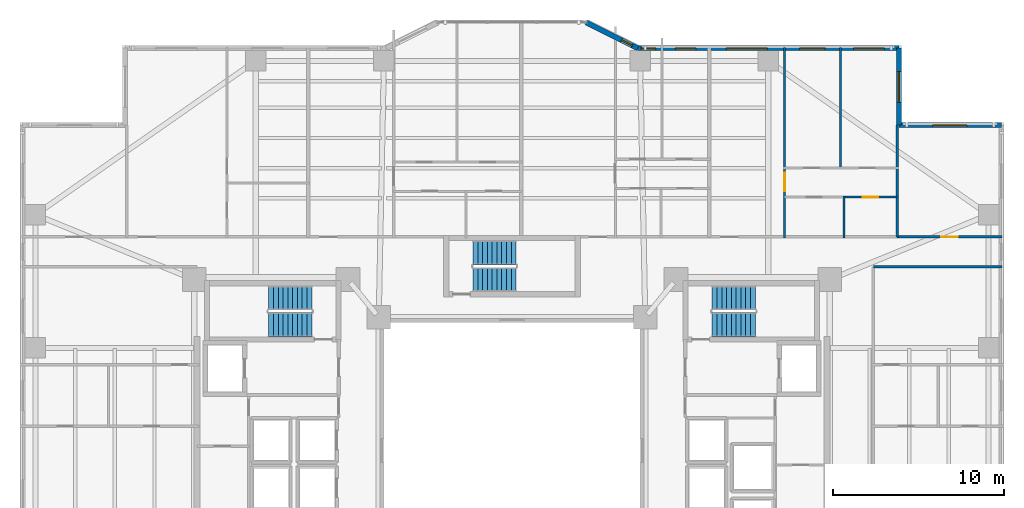
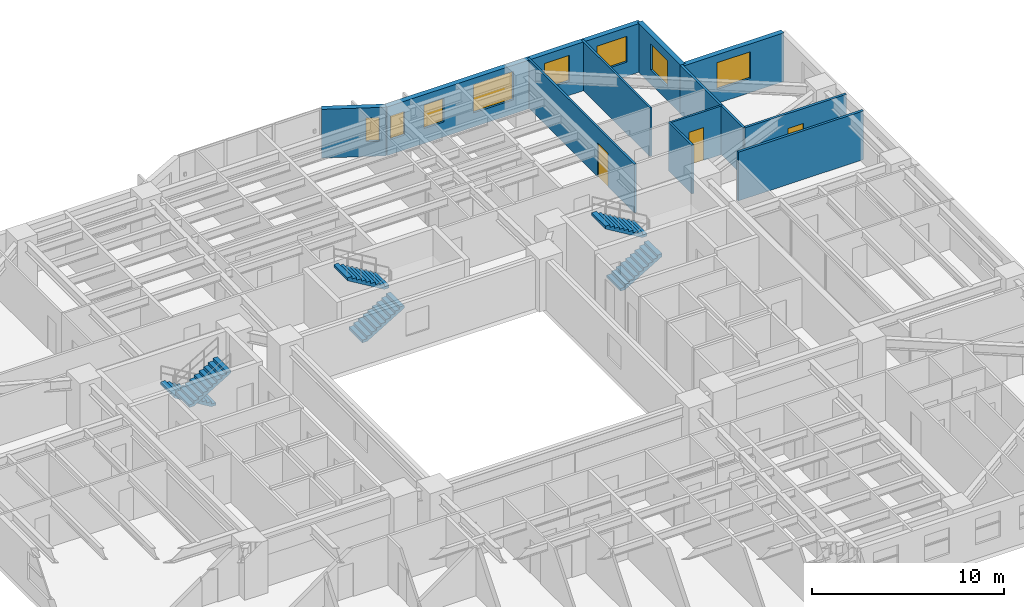
# One storey, part 16 of 21: 11 walls, 8 windows, 6 stair flights, 3 doors, 11 openings, 3 elements without a shape of their own.
"""IFC4 building model written with IfcOpenShell, lengths in metres."""

import ifcopenshell
import ifcopenshell.guid

model = None  # the IFC model being written
_history = None  # IfcOwnerHistory: only IFC2X3 demands one
_inside = {}  # id of a spatial element -> (the spatial element, [elements in it])
_under = {}  # id of a project, library or spatial element -> (it, [spatial elements below it])
_declared = {}  # id of a project -> (the project, [libraries it declares])
_typed = {}  # id of a type object -> (the type object, [elements of that type])
_made_of = {}  # id of a material, layer set ... -> (it, [elements and type objects made of it])


def new_model(schema):
    """Start an empty IFC model of exactly this schema.

    Asked for "IFC4X3", IfcOpenShell would pick the latest addendum, in which some entities
    have other attributes; the version numbers below select the first issue.
    IFC2X3 requires an IfcOwnerHistory on every rooted entity: one is made here for all.
    """
    global model, _history
    if schema == "IFC4X3":
        model = ifcopenshell.file(schema_version=(4, 3, 0, 0))
    else:
        model = ifcopenshell.file(schema=schema)
    _inside.clear()
    _under.clear()
    _declared.clear()
    _typed.clear()
    _made_of.clear()
    _history = None
    if model.schema == "IFC2X3":
        org = make("IfcOrganization", Name="unknown")
        user = make(
            "IfcPersonAndOrganization",
            ThePerson=make("IfcPerson", FamilyName="unknown"),
            TheOrganization=org,
        )
        app = make(
            "IfcApplication",
            ApplicationDeveloper=org,
            Version="unknown",
            ApplicationFullName="unknown",
            ApplicationIdentifier="unknown",
        )
        _history = make(
            "IfcOwnerHistory",
            OwningUser=user,
            OwningApplication=app,
            ChangeAction="ADDED",
            CreationDate=0,
        )
    return model


def make(cls, **values):
    """One entity of the class cls with the attributes given. An attribute that is None is left unset."""
    return model.create_entity(
        cls, **{name: value for name, value in values.items() if value is not None}
    )


def rooted(cls, **values):
    """An entity with a GlobalId (a new one), such as an element, a storey or a relation."""
    return make(cls, GlobalId=ifcopenshell.guid.new(), OwnerHistory=_history, **values)


def si_unit(unit_type, name, prefix=None):
    """IfcSIUnit, for example si_unit("LENGTHUNIT", "METRE", prefix="MILLI")."""
    return make("IfcSIUnit", UnitType=unit_type, Prefix=prefix, Name=name)


def assignment(units):
    """IfcUnitAssignment: the units of a project."""
    return None if units is None else make("IfcUnitAssignment", Units=units)


def point(xyz):
    """IfcCartesianPoint."""
    return None if xyz is None else make("IfcCartesianPoint", Coordinates=xyz)


def direction(xyz):
    """IfcDirection."""
    return None if xyz is None else make("IfcDirection", DirectionRatios=xyz)


def frame(location, z_axis=None, x_axis=None):
    """IfcAxis2Placement3D, a coordinate frame: its origin and axes. An axis left out is left unset."""
    return make(
        "IfcAxis2Placement3D",
        Location=point(location),
        Axis=direction(z_axis),
        RefDirection=direction(x_axis),
    )


def frame_2d(location, x_axis=None):
    """IfcAxis2Placement2D, a coordinate frame in the plane: its origin and x axis."""
    return make(
        "IfcAxis2Placement2D", Location=point(location), RefDirection=direction(x_axis)
    )


def origin():
    """The frame at (0, 0, 0) with its axes left unset."""
    return frame((0.0, 0.0, 0.0))


def place(relative_to, where):
    """IfcLocalPlacement: puts the frame where relative to a parent placement (None: the world)."""
    return make(
        "IfcLocalPlacement", PlacementRelTo=relative_to, RelativePlacement=where
    )


def context(
    kind, dimensions, precision=None, world=None, true_north=None, identifier=None
):
    """IfcGeometricRepresentationContext, for example the 3D "Model" context."""
    return make(
        "IfcGeometricRepresentationContext",
        ContextIdentifier=identifier,
        ContextType=kind,
        CoordinateSpaceDimension=dimensions,
        Precision=precision,
        WorldCoordinateSystem=world,
        TrueNorth=true_north,
    )


def subcontext(parent, identifier, kind, view, scale=None):
    """IfcGeometricRepresentationSubContext, for example "Body" below "Model"."""
    return make(
        "IfcGeometricRepresentationSubContext",
        ContextIdentifier=identifier,
        ContextType=kind,
        ParentContext=parent,
        TargetScale=scale,
        TargetView=view,
    )


def project(units=None, contexts=None):
    """IfcProject with its units and contexts."""
    return rooted(
        "IfcProject",
        Name="project",
        RepresentationContexts=contexts,
        UnitsInContext=assignment(units),
    )


def spatial(cls, under=None, at=None, **own):
    """A site, building, storey or space (cls), placed at a placement, below another one or the project."""
    s = rooted(cls, ObjectPlacement=at, **own)
    if under is not None:
        _under.setdefault(under.id(), (under, []))[1].append(s)
    return s


def polyline(points):
    """IfcPolyline through the points."""
    return make("IfcPolyline", Points=[point(p) for p in points])


def profile(cls, at=None, kind="AREA", **sizes):
    """A parametric profile (cls). Its sizes go by their IFC names, for example OverallWidth=200.0."""
    return make(cls, ProfileType=kind, Position=at, **sizes)


def rectangle(**sizes):
    """IfcRectangleProfileDef."""
    return profile("IfcRectangleProfileDef", **sizes)


def outline(outer, holes=None, kind="AREA"):
    """IfcArbitraryClosedProfileDef: a profile drawn as a closed curve; with holes, ...WithVoids."""
    if holes is None:
        return make("IfcArbitraryClosedProfileDef", ProfileType=kind, OuterCurve=outer)
    return make(
        "IfcArbitraryProfileDefWithVoids",
        ProfileType=kind,
        OuterCurve=outer,
        InnerCurves=holes,
    )


def extrude(swept, where, along, depth):
    """IfcExtrudedAreaSolid: the profile swept, set in the frame where, extruded along a direction by depth."""
    return make(
        "IfcExtrudedAreaSolid",
        SweptArea=swept,
        Position=where,
        ExtrudedDirection=direction(along),
        Depth=depth,
    )


def shape(context_of_items, identifier, shape_type, items):
    """IfcShapeRepresentation: the items that make up one representation, for example the "Body"."""
    return make(
        "IfcShapeRepresentation",
        ContextOfItems=context_of_items,
        RepresentationIdentifier=identifier,
        RepresentationType=shape_type,
        Items=items,
    )


def material(Name=None, Category=None):
    """IfcMaterial."""
    return make("IfcMaterial", Name=Name, Category=Category)


def layer(
    of_material, thickness, ventilated=None, Name=None, Category=None, Priority=None
):
    """IfcMaterialLayer: one layer of a wall or slab, of a material (None: an air gap)."""
    return make(
        "IfcMaterialLayer",
        Material=of_material,
        LayerThickness=thickness,
        IsVentilated=ventilated,
        Name=Name,
        Category=Category,
        Priority=Priority,
    )


def layer_set(layers, Name=None):
    """IfcMaterialLayerSet."""
    return make("IfcMaterialLayerSet", MaterialLayers=layers, LayerSetName=Name)


def made_of(thing, what):
    """Note that an element or type object is made of a material, layer set ...; save() writes the relation."""
    if what is not None:
        _made_of.setdefault(what.id(), (what, []))[1].append(thing)
    return thing


def type_object(cls, material=None, **own):
    """A type object (cls), such as IfcWallType, which elements share."""
    return made_of(rooted(cls, **own), material)


def element(
    cls,
    number,
    at=None,
    inside=None,
    cuts=None,
    type_object=None,
    material=None,
    context=None,
    identifier="Body",
    shape_type=None,
    held_by="IfcProductDefinitionShape",
    body=None,
    shapes=None,
    **own,
):
    """One element of the class cls, such as IfcWall. Its Tag is "e" and its number.

    at: its placement. inside: the storey or other place that contains it. cuts: it is an
    opening in that element (IfcRelVoidsElement). A single representation is given by context,
    identifier, shape_type and body (its items); several are given by shapes. held_by: the class
    of the entity that holds the representations. save() writes the other relations.
    """
    e = rooted(cls, Tag="e%d" % number, ObjectPlacement=at, **own)
    if body is not None:
        shapes = [shape(context, identifier, shape_type, body)]
    if shapes is not None:
        e.Representation = make(held_by, Representations=shapes)
    if inside is not None:
        _inside.setdefault(inside.id(), (inside, []))[1].append(e)
    if cuts is not None:
        rooted(
            "IfcRelVoidsElement", RelatingBuildingElement=cuts, RelatedOpeningElement=e
        )
    if type_object is not None:
        _typed.setdefault(type_object.id(), (type_object, []))[1].append(e)
    return made_of(e, material)


def fill(opening, filler):
    """IfcRelFillsElement: the door or window that sits in an opening."""
    return rooted(
        "IfcRelFillsElement",
        RelatingOpeningElement=opening,
        RelatedBuildingElement=filler,
    )


def aggregate(whole, parts):
    """IfcRelAggregates: a whole, such as a stair, and the parts it consists of."""
    return rooted("IfcRelAggregates", RelatingObject=whole, RelatedObjects=parts)


def save(model, path):
    """Write the relations noted so far, then the file.

    IfcRelAggregates (storeys below a building ...), IfcRelContainedInSpatialStructure (elements
    in a storey), IfcRelDefinesByType, IfcRelAssociatesMaterial and IfcRelDeclares: one each for
    every whole, place, type object, material and project.
    """
    for whole, parts in _under.values():
        aggregate(whole, parts)
    for where, things in _inside.values():
        rooted(
            "IfcRelContainedInSpatialStructure",
            RelatedElements=things,
            RelatingStructure=where,
        )
    for kind, things in _typed.values():
        rooted("IfcRelDefinesByType", RelatedObjects=things, RelatingType=kind)
    for what, things in _made_of.values():
        rooted("IfcRelAssociatesMaterial", RelatedObjects=things, RelatingMaterial=what)
    for by, libraries in _declared.values():
        rooted("IfcRelDeclares", RelatingContext=by, RelatedDefinitions=libraries)
    model.write(path)


model = new_model("IFC4")

# Units and contexts
model_context = context("Model", 3, precision=1e-05, world=origin(), true_north=direction((0.0, 1.0)))
body_context = subcontext(model_context, "Body", "Model", "MODEL_VIEW")
ifc_project = project(units=[si_unit("LENGTHUNIT", "METRE"), si_unit("AREAUNIT", "SQUARE_METRE"), si_unit("VOLUMEUNIT", "CUBIC_METRE"), si_unit("PLANEANGLEUNIT", "RADIAN"), si_unit("MASSUNIT", "GRAM", prefix="KILO")], contexts=[model_context])

# Site, building, storey
site_placement = place(None, origin())
site = spatial("IfcSite", under=ifc_project, at=site_placement, CompositionType="ELEMENT")
building_placement = place(site_placement, origin())
building = spatial("IfcBuilding", under=site, at=building_placement, Name="Tarnavaz Court Tower", CompositionType="ELEMENT")
storey_placement = place(building_placement, frame((0.0, 0.0, 24.0)))
storey = spatial("IfcBuildingStorey", under=building, at=storey_placement, Name="L05", CompositionType="ELEMENT", Elevation=24.0)

# Wall, opening, window
ifc_material_1 = material(Name="Precast Concrete C40/50", Category="concrete")
ifc_layer_1 = layer(ifc_material_1, 0.300048828125)
ifc_layer_set_1 = layer_set([ifc_layer_1], Name="Precast Concrete C40/50")
wall_type_1 = type_object("IfcWallType", Name="WL-EXT-300", PredefinedType="SOLIDWALL", material=ifc_layer_set_1)
wall_1_placement = place(storey_placement, frame((4.35009765625, 25.050048828125, 0.0), z_axis=(0.0, 0.0, 1.0), x_axis=(0.894427191, -0.4472135955, 0.0)))
wall_1 = element("IfcWall", 1, at=wall_1_placement, inside=storey, type_object=wall_type_1, Name="L05 Exterior Terracotta Facade Wall 08", PredefinedType="SOLIDWALL", context=body_context, shape_type="SweptSolid", body=[
    extrude(rectangle(XDim=3.35400390625, YDim=0.300048828125, at=frame_2d((1.677001953125, 0.0))), origin(), (0.0, 0.0, 1.0), 3.10009765625),
])
opening_1_placement = place(wall_1_placement, frame((2.308349609375, 0.0, 0.949951171875)))
opening_1 = element("IfcOpeningElement", 2, at=opening_1_placement, cuts=wall_1, Name="Opening W16", PredefinedType="OPENING", context=body_context, shape_type="SweptSolid", body=[
    extrude(rectangle(XDim=0.699951171875, YDim=1.5, at=frame_2d((0.35009765625, 0.75))), frame((0.0, 0.159912109375, 0.0), z_axis=(0.0, -1.0, 0.0), x_axis=(1.0, 0.0, 0.0)), (0.0, 0.0, 1.0), 0.320068359375),
])
ifc_material_2 = material(Name="Double-Glazed Solar Low-E Glass", Category="glass")
window_type_1 = type_object("IfcWindowType", Name="WN-APT-700", PartitioningType="SINGLE_PANEL", PredefinedType="WINDOW", material=ifc_material_2)
window_1_placement = place(opening_1_placement, origin())
window_1 = element("IfcWindow", 3, at=window_1_placement, inside=storey, type_object=window_type_1, Name="L05 Flat 03 Principal Bedroom Window", OverallHeight=1.5, OverallWidth=0.699951171875, PartitioningType="SINGLE_PANEL", PredefinedType="WINDOW", context=body_context, shape_type="SweptSolid", body=[
    extrude(rectangle(XDim=0.699951171875, YDim=1.5, at=frame_2d((0.35009765625, 0.75))), frame((0.0, 0.030029296875, 0.0), z_axis=(0.0, -1.0, 0.0), x_axis=(1.0, 0.0, 0.0)), (0.0, 0.0, 1.0), 0.06005859375),
])
fill(opening_1, window_1)

# Wall, openings, windows
wall_2_placement = place(storey_placement, frame((7.35009765625, 23.550048828125, 0.0), z_axis=(0.0, 0.0, 1.0), x_axis=(1.0, 0.0, 0.0)))
wall_2 = element("IfcWall", 4, at=wall_2_placement, inside=storey, type_object=wall_type_1, Name="L05 Exterior Terracotta Facade Wall 09", PredefinedType="SOLIDWALL", context=body_context, shape_type="SweptSolid", body=[
    extrude(rectangle(XDim=15.2998046875, YDim=0.300048828125, at=frame_2d((7.64990234375, 0.0))), origin(), (0.0, 0.0, 1.0), 3.10009765625),
])
opening_2_placement = place(wall_2_placement, frame((0.205078125, 0.0, 0.949951171875)))
opening_2 = element("IfcOpeningElement", 5, at=opening_2_placement, cuts=wall_2, Name="Opening W15", PredefinedType="OPENING", context=body_context, shape_type="SweptSolid", body=[
    extrude(rectangle(XDim=0.85009765625, YDim=1.5, at=frame_2d((0.425048828125, 0.75))), frame((0.0, 0.159912109375, 0.0), z_axis=(0.0, -1.0, 0.0), x_axis=(1.0, 0.0, 0.0)), (0.0, 0.0, 1.0), 0.320068359375),
])
opening_3_placement = place(wall_2_placement, frame((2.209228515625, 0.0, 0.949951171875)))
opening_3 = element("IfcOpeningElement", 6, at=opening_3_placement, cuts=wall_2, Name="Opening W05", PredefinedType="OPENING", context=body_context, shape_type="SweptSolid", body=[
    extrude(rectangle(XDim=1.199951171875, YDim=1.5, at=frame_2d((0.60009765625, 0.75))), frame((0.0, 0.159912109375, 0.0), z_axis=(0.0, -1.0, 0.0), x_axis=(1.0, 0.0, 0.0)), (0.0, 0.0, 1.0), 0.320068359375),
])
opening_4_placement = place(wall_2_placement, frame((5.19580078125, 0.0, 0.89990234375)))
opening_4 = element("IfcOpeningElement", 7, at=opening_4_placement, cuts=wall_2, Name="Opening W06", PredefinedType="OPENING", context=body_context, shape_type="SweptSolid", body=[
    extrude(rectangle(XDim=2.39990234375, YDim=1.800048828125, at=frame_2d((1.199951171875, 0.89990234375))), frame((0.0, 0.159912109375, 0.0), z_axis=(0.0, -1.0, 0.0), x_axis=(1.0, 0.0, 0.0)), (0.0, 0.0, 1.0), 0.320068359375),
])
opening_5_placement = place(wall_2_placement, frame((9.4833984375, 0.0, 0.89990234375)))
opening_5 = element("IfcOpeningElement", 8, at=opening_5_placement, cuts=wall_2, Name="Opening W03", PredefinedType="OPENING", context=body_context, shape_type="SweptSolid", body=[
    extrude(rectangle(XDim=1.5, YDim=1.64990234375, at=frame_2d((0.75, 0.824951171875))), frame((0.0, 0.159912109375, 0.0), z_axis=(0.0, -1.0, 0.0), x_axis=(1.0, 0.0, 0.0)), (0.0, 0.0, 1.0), 0.320068359375),
])
opening_6_placement = place(wall_2_placement, frame((12.644287109375, 0.0, 0.89990234375)))
opening_6 = element("IfcOpeningElement", 9, at=opening_6_placement, cuts=wall_2, Name="Opening W01", PredefinedType="OPENING", context=body_context, shape_type="SweptSolid", body=[
    extrude(rectangle(XDim=1.800048828125, YDim=1.64990234375, at=frame_2d((0.89990234375, 0.824951171875))), frame((0.0, 0.159912109375, 0.0), z_axis=(0.0, -1.0, 0.0), x_axis=(1.0, 0.0, 0.0)), (0.0, 0.0, 1.0), 0.320068359375),
])
window_type_2 = type_object("IfcWindowType", Name="WN-APT-1200", PartitioningType="SINGLE_PANEL", PredefinedType="WINDOW", material=ifc_material_2)
window_2_placement = place(opening_3_placement, origin())
window_2 = element("IfcWindow", 10, at=window_2_placement, inside=storey, type_object=window_type_2, Name="L05 Flat 03 Bedroom 2 Window", OverallHeight=1.5, OverallWidth=1.199951171875, PartitioningType="SINGLE_PANEL", PredefinedType="WINDOW", context=body_context, shape_type="SweptSolid", body=[
    extrude(rectangle(XDim=1.199951171875, YDim=1.5, at=frame_2d((0.60009765625, 0.75))), frame((0.0, 0.030029296875, 0.0), z_axis=(0.0, -1.0, 0.0), x_axis=(1.0, 0.0, 0.0)), (0.0, 0.0, 1.0), 0.06005859375),
])
fill(opening_3, window_2)
window_type_3 = type_object("IfcWindowType", Name="WN-APT-1500", PartitioningType="DOUBLE_PANEL_VERTICAL", PredefinedType="WINDOW", material=ifc_material_2)
window_3_placement = place(opening_5_placement, origin())
window_3 = element("IfcWindow", 11, at=window_3_placement, inside=storey, type_object=window_type_3, Name="L05 Flat 04 Principal Bedroom Window", OverallHeight=1.64990234375, OverallWidth=1.5, PartitioningType="SINGLE_PANEL", PredefinedType="WINDOW", context=body_context, shape_type="SweptSolid", body=[
    extrude(rectangle(XDim=1.5, YDim=1.64990234375, at=frame_2d((0.75, 0.824951171875))), frame((0.0, 0.030029296875, 0.0), z_axis=(0.0, -1.0, 0.0), x_axis=(1.0, 0.0, 0.0)), (0.0, 0.0, 1.0), 0.06005859375),
])
fill(opening_5, window_3)
window_type_4 = type_object("IfcWindowType", Name="WN-APT-1800", PartitioningType="DOUBLE_PANEL_VERTICAL", PredefinedType="WINDOW", material=ifc_material_2)
window_4_placement = place(opening_6_placement, origin())
window_4 = element("IfcWindow", 12, at=window_4_placement, inside=storey, type_object=window_type_4, Name="L05 Flat 04 Bedroom 2 Window", OverallHeight=1.64990234375, OverallWidth=1.800048828125, PartitioningType="SINGLE_PANEL", PredefinedType="WINDOW", context=body_context, shape_type="SweptSolid", body=[
    extrude(rectangle(XDim=1.800048828125, YDim=1.64990234375, at=frame_2d((0.89990234375, 0.824951171875))), frame((0.0, 0.030029296875, 0.0), z_axis=(0.0, -1.0, 0.0), x_axis=(1.0, 0.0, 0.0)), (0.0, 0.0, 1.0), 0.06005859375),
])
fill(opening_6, window_4)
window_type_5 = type_object("IfcWindowType", Name="WN-APT-2400", PartitioningType="TRIPLE_PANEL_VERTICAL", PredefinedType="WINDOW", material=ifc_material_2)
window_5_placement = place(opening_4_placement, origin())
window_5 = element("IfcWindow", 13, at=window_5_placement, inside=storey, type_object=window_type_5, Name="L05 Flat 04 Living and Dining Room Window", OverallHeight=1.800048828125, OverallWidth=2.39990234375, PartitioningType="SINGLE_PANEL", PredefinedType="WINDOW", context=body_context, shape_type="SweptSolid", body=[
    extrude(rectangle(XDim=2.39990234375, YDim=1.800048828125, at=frame_2d((1.199951171875, 0.89990234375))), frame((0.0, 0.030029296875, 0.0), z_axis=(0.0, -1.0, 0.0), x_axis=(1.0, 0.0, 0.0)), (0.0, 0.0, 1.0), 0.06005859375),
])
fill(opening_4, window_5)
window_type_6 = type_object("IfcWindowType", Name="WN-APT-850", PartitioningType="SINGLE_PANEL", PredefinedType="WINDOW", material=ifc_material_2)
window_6_placement = place(opening_2_placement, origin())
window_6 = element("IfcWindow", 14, at=window_6_placement, inside=storey, type_object=window_type_6, Name="L05 Flat 03 Principal Bedroom Window", OverallHeight=1.5, OverallWidth=0.85009765625, PartitioningType="SINGLE_PANEL", PredefinedType="WINDOW", context=body_context, shape_type="SweptSolid", body=[
    extrude(rectangle(XDim=0.85009765625, YDim=1.5, at=frame_2d((0.425048828125, 0.75))), frame((0.0, 0.030029296875, 0.0), z_axis=(0.0, -1.0, 0.0), x_axis=(1.0, 0.0, 0.0)), (0.0, 0.0, 1.0), 0.06005859375),
])
fill(opening_2, window_6)

# Wall, opening, window
wall_3_placement = place(storey_placement, frame((22.64990234375, 23.550048828125, 0.0), z_axis=(0.0, 0.0, 1.0), x_axis=(0.0, -1.0, 0.0)))
wall_3 = element("IfcWall", 15, at=wall_3_placement, inside=storey, type_object=wall_type_1, Name="L05 Exterior Terracotta Facade Wall 10", PredefinedType="SOLIDWALL", context=body_context, shape_type="SweptSolid", body=[
    extrude(rectangle(XDim=4.5, YDim=0.300048828125, at=frame_2d((2.25, 0.0))), origin(), (0.0, 0.0, 1.0), 3.10009765625),
])
opening_7_placement = place(wall_3_placement, frame((1.367431640625, 0.0, 0.89990234375)))
opening_7 = element("IfcOpeningElement", 16, at=opening_7_placement, cuts=wall_3, Name="Opening W01", PredefinedType="OPENING", context=body_context, shape_type="SweptSolid", body=[
    extrude(rectangle(XDim=1.800048828125, YDim=1.64990234375, at=frame_2d((0.89990234375, 0.824951171875))), frame((0.0, 0.159912109375, 0.0), z_axis=(0.0, -1.0, 0.0), x_axis=(1.0, 0.0, 0.0)), (0.0, 0.0, 1.0), 0.320068359375),
])
window_7_placement = place(opening_7_placement, origin())
window_7 = element("IfcWindow", 17, at=window_7_placement, inside=storey, type_object=window_type_4, Name="L05 Flat 04 Bedroom 2 Window", OverallHeight=1.64990234375, OverallWidth=1.800048828125, PartitioningType="SINGLE_PANEL", PredefinedType="WINDOW", context=body_context, shape_type="SweptSolid", body=[
    extrude(rectangle(XDim=1.800048828125, YDim=1.64990234375, at=frame_2d((0.89990234375, 0.824951171875))), frame((0.0, 0.030029296875, 0.0), z_axis=(0.0, -1.0, 0.0), x_axis=(1.0, 0.0, 0.0)), (0.0, 0.0, 1.0), 0.06005859375),
])
fill(opening_7, window_7)

wall_4_placement = place(storey_placement, frame((22.64990234375, 19.050048828125, 0.0), z_axis=(0.0, 0.0, 1.0), x_axis=(1.0, 0.0, 0.0)))
wall_4 = element("IfcWall", 18, at=wall_4_placement, inside=storey, type_object=wall_type_1, Name="L05 Exterior Terracotta Facade Wall 11", PredefinedType="SOLIDWALL", context=body_context, shape_type="SweptSolid", body=[
    extrude(rectangle(XDim=6.0, YDim=0.300048828125, at=frame_2d((3.0, 0.0))), origin(), (0.0, 0.0, 1.0), 3.10009765625),
])
opening_8_placement = place(wall_4_placement, frame((1.97509765625, 0.0, 0.89990234375)))
opening_8 = element("IfcOpeningElement", 19, at=opening_8_placement, cuts=wall_4, Name="Opening W08", PredefinedType="OPENING", context=body_context, shape_type="SweptSolid", body=[
    extrude(rectangle(XDim=2.0, YDim=1.699951171875, at=frame_2d((1.0, 0.85009765625))), frame((0.0, 0.159912109375, 0.0), z_axis=(0.0, -1.0, 0.0), x_axis=(1.0, 0.0, 0.0)), (0.0, 0.0, 1.0), 0.320068359375),
])
window_type_7 = type_object("IfcWindowType", Name="WN-APT-2000", PartitioningType="DOUBLE_PANEL_VERTICAL", PredefinedType="WINDOW", material=ifc_material_2)
window_8_placement = place(opening_8_placement, origin())
window_8 = element("IfcWindow", 20, at=window_8_placement, inside=storey, type_object=window_type_7, Name="L05 North-East Corner Sunroom Study Window", OverallHeight=1.699951171875, OverallWidth=2.0, PartitioningType="SINGLE_PANEL", PredefinedType="WINDOW", context=body_context, shape_type="SweptSolid", body=[
    extrude(rectangle(XDim=2.0, YDim=1.699951171875, at=frame_2d((1.0, 0.85009765625))), frame((0.0, 0.030029296875, 0.0), z_axis=(0.0, -1.0, 0.0), x_axis=(1.0, 0.0, 0.0)), (0.0, 0.0, 1.0), 0.06005859375),
])
fill(opening_8, window_8)

# Wall
ifc_material_3 = material(Name="Gypsum Fire-Board on Acoustic Metal Stud", Category="masonry")
ifc_layer_2 = layer(ifc_material_3, 0.14990234375)
ifc_layer_set_2 = layer_set([ifc_layer_2], Name="Gypsum Fire-Board on Acoustic Metal Stud")
wall_type_2 = type_object("IfcWallType", Name="WL-FIRE-150", PredefinedType="PARTITIONING", material=ifc_layer_set_2)
wall_5_placement = place(storey_placement, frame((21.14990234375, 10.75, 0.0), z_axis=(0.0, 0.0, 1.0), x_axis=(1.0, 0.0, 0.0)))
element("IfcWall", 21, at=wall_5_placement, inside=storey, type_object=wall_type_2, Name="L05 Interior Partition 147", PredefinedType="PARTITIONING", context=body_context, shape_type="SweptSolid", body=[
    extrude(rectangle(XDim=7.530029296875, YDim=0.14990234375, at=frame_2d((3.76513671875, 0.0))), origin(), (0.0, 0.0, 1.0), 3.10009765625),
])

# Wall, opening, door
wall_6_placement = place(storey_placement, frame((22.550048828125, 12.5, 0.0), z_axis=(0.0, 0.0, 1.0), x_axis=(1.0, 0.0, 0.0)))
wall_6 = element("IfcWall", 22, at=wall_6_placement, inside=storey, type_object=wall_type_2, Name="L05 Interior Partition 153", PredefinedType="PARTITIONING", context=body_context, shape_type="SweptSolid", body=[
    extrude(rectangle(XDim=6.1298828125, YDim=0.14990234375, at=frame_2d((3.06494140625, 0.0))), origin(), (0.0, 0.0, 1.0), 3.10009765625),
])
opening_9_placement = place(wall_6_placement, frame((2.590087890625, 0.0, 0.0)))
opening_9 = element("IfcOpeningElement", 23, at=opening_9_placement, cuts=wall_6, Name="Opening D13", PredefinedType="OPENING", context=body_context, shape_type="SweptSolid", body=[
    extrude(rectangle(XDim=0.949951171875, YDim=2.14990234375, at=frame_2d((0.47509765625, 1.074951171875))), frame((0.0, 0.0849609375, 0.0), z_axis=(0.0, -1.0, 0.0), x_axis=(1.0, 0.0, 0.0)), (0.0, 0.0, 1.0), 0.169921875),
])
ifc_material_4 = material(Name="Engineered Oak Timber", Category="wood")
door_type_1 = type_object("IfcDoorType", Name="DR-INT-950", OperationType="NOTDEFINED", PredefinedType="DOOR", material=ifc_material_4)
door_1_placement = place(opening_9_placement, origin())
door_1 = element("IfcDoor", 24, at=door_1_placement, inside=storey, type_object=door_type_1, Name="L05 NE Sunroom Door", OperationType="SINGLE_SWING_LEFT", OverallHeight=2.14990234375, OverallWidth=0.949951171875, PredefinedType="DOOR", context=body_context, shape_type="SweptSolid", body=[
    extrude(rectangle(XDim=0.949951171875, YDim=2.14990234375, at=frame_2d((0.47509765625, 1.074951171875))), frame((0.0, 0.02490234375, 0.0), z_axis=(0.0, -1.0, 0.0), x_axis=(1.0, 0.0, 0.0)), (0.0, 0.0, 1.0), 0.050048828125),
])
fill(opening_9, door_1)

ifc_material_5 = material(Name="Moisture-Resistant Gypsum Board Partition", Category="masonry")
ifc_layer_3 = layer(ifc_material_5, 0.1201171875)
ifc_layer_set_3 = layer_set([ifc_layer_3], Name="Moisture-Resistant Gypsum Board Partition")
wall_type_3 = type_object("IfcWallType", Name="WL-PART-120", PredefinedType="PARTITIONING", material=ifc_layer_set_3)
wall_7_placement = place(storey_placement, frame((15.9619140625, 12.43994140625, 0.0), z_axis=(0.0, 0.0, 1.0), x_axis=(0.0, 1.0, 0.0)))
wall_7 = element("IfcWall", 25, at=wall_7_placement, inside=storey, type_object=wall_type_3, Name="L05 Interior Partition 105", PredefinedType="PARTITIONING", context=body_context, shape_type="SweptSolid", body=[
    extrude(rectangle(XDim=11.16015625, YDim=0.1201171875, at=frame_2d((5.580078125, 0.0))), origin(), (0.0, 0.0, 1.0), 3.10009765625),
])
opening_10_placement = place(wall_7_placement, frame((2.735107421875, 0.0, 0.0)))
opening_10 = element("IfcOpeningElement", 26, at=opening_10_placement, cuts=wall_7, Name="Opening D12", PredefinedType="OPENING", context=body_context, shape_type="SweptSolid", body=[
    extrude(rectangle(XDim=1.080078125, YDim=2.14990234375, at=frame_2d((0.5400390625, 1.074951171875))), frame((0.0, 0.070068359375, 0.0), z_axis=(0.0, -1.0, 0.0), x_axis=(1.0, 0.0, 0.0)), (0.0, 0.0, 1.0), 0.14013671875),
])
door_type_2 = type_object("IfcDoorType", Name="DR-INT-1100", OperationType="NOTDEFINED", PredefinedType="DOOR", material=ifc_material_4)
door_2_placement = place(opening_10_placement, origin())
door_2 = element("IfcDoor", 27, at=door_2_placement, inside=storey, type_object=door_type_2, Name="L05 Flat 04 Foyer Door", OperationType="SINGLE_SWING_LEFT", OverallHeight=2.14990234375, OverallWidth=1.080078125, PredefinedType="DOOR", context=body_context, shape_type="SweptSolid", body=[
    extrude(rectangle(XDim=1.080078125, YDim=2.14990234375, at=frame_2d((0.5400390625, 1.074951171875))), frame((0.0, 0.02490234375, 0.0), z_axis=(0.0, -1.0, 0.0), x_axis=(1.0, 0.0, 0.0)), (0.0, 0.0, 1.0), 0.050048828125),
])
fill(opening_10, door_2)

wall_8_placement = place(storey_placement, frame((19.422119140625, 14.830078125, 0.0), z_axis=(0.0, 0.0, 1.0), x_axis=(1.0, 0.0, 0.0)))
wall_8 = element("IfcWall", 28, at=wall_8_placement, inside=storey, type_object=wall_type_3, Name="L05 Interior Partition 107", PredefinedType="PARTITIONING", context=body_context, shape_type="SweptSolid", body=[
    extrude(rectangle(XDim=3.1279296875, YDim=0.1201171875, at=frame_2d((1.56396484375, 0.0))), origin(), (0.0, 0.0, 1.0), 3.10009765625),
])
opening_11_placement = place(wall_8_placement, frame((1.1240234375, 0.0, 0.0)))
opening_11 = element("IfcOpeningElement", 29, at=opening_11_placement, cuts=wall_8, Name="Opening D14", PredefinedType="OPENING", context=body_context, shape_type="SweptSolid", body=[
    extrude(rectangle(XDim=0.8798828125, YDim=2.10009765625, at=frame_2d((0.43994140625, 1.050048828125))), frame((0.0, 0.070068359375, 0.0), z_axis=(0.0, -1.0, 0.0), x_axis=(1.0, 0.0, 0.0)), (0.0, 0.0, 1.0), 0.14013671875),
])
door_type_3 = type_object("IfcDoorType", Name="DR-INT-900", OperationType="NOTDEFINED", PredefinedType="DOOR", material=ifc_material_4)
door_3_placement = place(opening_11_placement, origin())
door_3 = element("IfcDoor", 30, at=door_3_placement, inside=storey, type_object=door_type_3, Name="L05 Flat 04 Bathroom Door", OperationType="SINGLE_SWING_LEFT", OverallHeight=2.10009765625, OverallWidth=0.8798828125, PredefinedType="DOOR", context=body_context, shape_type="SweptSolid", body=[
    extrude(rectangle(XDim=0.8798828125, YDim=2.10009765625, at=frame_2d((0.43994140625, 1.050048828125))), frame((0.0, 0.02490234375, 0.0), z_axis=(0.0, -1.0, 0.0), x_axis=(1.0, 0.0, 0.0)), (0.0, 0.0, 1.0), 0.050048828125),
])
fill(opening_11, door_3)

# Walls
wall_9_placement = place(storey_placement, frame((19.422119140625, 12.43994140625, 0.0), z_axis=(0.0, 0.0, 1.0), x_axis=(0.0, 1.0, 0.0)))
element("IfcWall", 31, at=wall_9_placement, inside=storey, type_object=wall_type_3, Name="L05 Interior Partition 109", PredefinedType="PARTITIONING", context=body_context, shape_type="SweptSolid", body=[
    extrude(rectangle(XDim=2.449951171875, YDim=0.1201171875, at=frame_2d((1.22509765625, 0.0))), origin(), (0.0, 0.0, 1.0), 3.10009765625),
])
wall_10_placement = place(storey_placement, frame((19.22607421875, 16.47998046875, 0.0), z_axis=(0.0, 0.0, 1.0), x_axis=(0.0, 1.0, 0.0)))
element("IfcWall", 32, at=wall_10_placement, inside=storey, type_object=wall_type_3, Name="L05 Interior Partition 110", PredefinedType="PARTITIONING", context=body_context, shape_type="SweptSolid", body=[
    extrude(rectangle(XDim=7.1201171875, YDim=0.1201171875, at=frame_2d((3.56005859375, 0.0))), origin(), (0.0, 0.0, 1.0), 3.10009765625),
])
ifc_material_6 = material(Name="Gypsum Plasterboard Acoustic Partition", Category="masonry")
ifc_layer_4 = layer(ifc_material_6, 0.139892578125)
ifc_layer_set_4 = layer_set([ifc_layer_4], Name="Gypsum Plasterboard Acoustic Partition")
wall_type_4 = type_object("IfcWallType", Name="WL-PART-150", PredefinedType="PARTITIONING", material=ifc_layer_set_4)
wall_11_placement = place(storey_placement, frame((22.550048828125, 12.5, 0.0), z_axis=(0.0, 0.0, 1.0), x_axis=(0.0, 1.0, 0.0)))
element("IfcWall", 33, at=wall_11_placement, inside=storey, type_object=wall_type_4, Name="L05 Interior Partition 151", PredefinedType="PARTITIONING", context=body_context, shape_type="SweptSolid", body=[
    extrude(rectangle(XDim=6.550048828125, YDim=0.139892578125, at=frame_2d((3.27490234375, 0.0))), origin(), (0.0, 0.0, 1.0), 3.10009765625),
])

# Stair, stair flights
ifc_material_7 = material(Name="Concrete C40/50", Category="concrete")
stair_type = type_object("IfcStairType", Name="ST-TWR-20R", PredefinedType="HALF_TURN_STAIR", material=ifc_material_7)
stair_1_placement = place(storey_placement, origin())
stair_1 = element("IfcStair", 34, at=stair_1_placement, inside=storey, type_object=stair_type, Name="L05 West Core Pressurized Exit Stair ST-W1", PredefinedType="HALF_TURN_STAIR")
stair_flight_type = type_object("IfcStairFlightType", Name="SFL-RC-20R", PredefinedType="STRAIGHT", material=ifc_material_7)
stair_flight_1_placement = place(storey_placement, frame((-11.719970703125, 8.929931640625, 0.0), z_axis=(0.0, 0.0, 1.0), x_axis=(-1.0, 0.0, 0.0)))
stair_flight_1 = element("IfcStairFlight", 35, at=stair_flight_1_placement, type_object=stair_flight_type, Name="ST-W1 flight 1", NumberOfRisers=10, NumberOfTreads=9, PredefinedType="STRAIGHT", RiserHeight=0.1675, TreadLength=0.28, context=body_context, shape_type="SweptSolid", body=[
    extrude(outline(polyline([(0.0, 0.0), (0.0, 0.16748046875), (0.280029296875, 0.16748046875), (0.280029296875, 0.3349609375), (0.56005859375, 0.3349609375), (0.56005859375, 0.50244140625), (0.840087890625, 0.50244140625), (0.840087890625, 0.669921875), (1.1201171875, 0.669921875), (1.1201171875, 0.83740234375), (1.39990234375, 0.83740234375), (1.39990234375, 1.0048828125), (1.679931640625, 1.0048828125), (1.679931640625, 1.172607421875), (1.9599609375, 1.172607421875), (1.9599609375, 1.340087890625), (2.239990234375, 1.340087890625), (2.239990234375, 1.507568359375), (2.52001953125, 1.507568359375), (2.52001953125, 1.675048828125), (2.52001953125, 1.332763671875), (0.2919921875, 0.0), (0.0, 0.0)])), frame((0.0, 0.7099609375, 0.0), z_axis=(0.0, -1.0, 0.0), x_axis=(1.0, 0.0, 0.0)), (0.0, 0.0, 1.0), 1.419921875),
])
stair_flight_2_placement = place(storey_placement, frame((-14.239990234375, 7.360107421875, 1.675048828125), z_axis=(0.0, 0.0, 1.0), x_axis=(1.0, 0.0, 0.0)))
stair_flight_2 = element("IfcStairFlight", 36, at=stair_flight_2_placement, type_object=stair_flight_type, Name="ST-W1 flight 2", NumberOfRisers=10, NumberOfTreads=9, PredefinedType="STRAIGHT", RiserHeight=0.1675, TreadLength=0.28, context=body_context, shape_type="SweptSolid", body=[
    extrude(outline(polyline([(0.0, 0.0), (0.0, 0.16748046875), (0.280029296875, 0.16748046875), (0.280029296875, 0.3349609375), (0.56005859375, 0.3349609375), (0.56005859375, 0.50244140625), (0.840087890625, 0.50244140625), (0.840087890625, 0.669921875), (1.1201171875, 0.669921875), (1.1201171875, 0.83740234375), (1.39990234375, 0.83740234375), (1.39990234375, 1.0048828125), (1.679931640625, 1.0048828125), (1.679931640625, 1.172607421875), (1.9599609375, 1.172607421875), (1.9599609375, 1.340087890625), (2.239990234375, 1.340087890625), (2.239990234375, 1.507568359375), (2.52001953125, 1.507568359375), (2.52001953125, 1.675048828125), (2.52001953125, 1.332763671875), (0.2919921875, 0.0), (0.0, 0.0)])), frame((0.0, 0.7099609375, 0.0), z_axis=(0.0, -1.0, 0.0), x_axis=(1.0, 0.0, 0.0)), (0.0, 0.0, 1.0), 1.419921875),
])
aggregate(stair_1, [stair_flight_1, stair_flight_2])

stair_2_placement = place(storey_placement, origin())
stair_2 = element("IfcStair", 37, at=stair_2_placement, inside=storey, type_object=stair_type, Name="L05 East Core Pressurized Exit Stair ST-E1", PredefinedType="HALF_TURN_STAIR")
stair_flight_3_placement = place(storey_placement, frame((11.719970703125, 7.360107421875, 0.0), z_axis=(0.0, 0.0, 1.0), x_axis=(1.0, 0.0, 0.0)))
stair_flight_3 = element("IfcStairFlight", 38, at=stair_flight_3_placement, type_object=stair_flight_type, Name="ST-E1 flight 1", NumberOfRisers=10, NumberOfTreads=9, PredefinedType="STRAIGHT", RiserHeight=0.1675, TreadLength=0.28, context=body_context, shape_type="SweptSolid", body=[
    extrude(outline(polyline([(0.0, 0.0), (0.0, 0.16748046875), (0.280029296875, 0.16748046875), (0.280029296875, 0.3349609375), (0.56005859375, 0.3349609375), (0.56005859375, 0.50244140625), (0.840087890625, 0.50244140625), (0.840087890625, 0.669921875), (1.1201171875, 0.669921875), (1.1201171875, 0.83740234375), (1.39990234375, 0.83740234375), (1.39990234375, 1.0048828125), (1.679931640625, 1.0048828125), (1.679931640625, 1.172607421875), (1.9599609375, 1.172607421875), (1.9599609375, 1.340087890625), (2.239990234375, 1.340087890625), (2.239990234375, 1.507568359375), (2.52001953125, 1.507568359375), (2.52001953125, 1.675048828125), (2.52001953125, 1.332763671875), (0.2919921875, 0.0), (0.0, 0.0)])), frame((0.0, 0.7099609375, 0.0), z_axis=(0.0, -1.0, 0.0), x_axis=(1.0, 0.0, 0.0)), (0.0, 0.0, 1.0), 1.419921875),
])
stair_flight_4_placement = place(storey_placement, frame((14.239990234375, 8.929931640625, 1.675048828125), z_axis=(0.0, 0.0, 1.0), x_axis=(-1.0, 0.0, 0.0)))
stair_flight_4 = element("IfcStairFlight", 39, at=stair_flight_4_placement, type_object=stair_flight_type, Name="ST-E1 flight 2", NumberOfRisers=10, NumberOfTreads=9, PredefinedType="STRAIGHT", RiserHeight=0.1675, TreadLength=0.28, context=body_context, shape_type="SweptSolid", body=[
    extrude(outline(polyline([(0.0, 0.0), (0.0, 0.16748046875), (0.280029296875, 0.16748046875), (0.280029296875, 0.3349609375), (0.56005859375, 0.3349609375), (0.56005859375, 0.50244140625), (0.840087890625, 0.50244140625), (0.840087890625, 0.669921875), (1.1201171875, 0.669921875), (1.1201171875, 0.83740234375), (1.39990234375, 0.83740234375), (1.39990234375, 1.0048828125), (1.679931640625, 1.0048828125), (1.679931640625, 1.172607421875), (1.9599609375, 1.172607421875), (1.9599609375, 1.340087890625), (2.239990234375, 1.340087890625), (2.239990234375, 1.507568359375), (2.52001953125, 1.507568359375), (2.52001953125, 1.675048828125), (2.52001953125, 1.332763671875), (0.2919921875, 0.0), (0.0, 0.0)])), frame((0.0, 0.7099609375, 0.0), z_axis=(0.0, -1.0, 0.0), x_axis=(1.0, 0.0, 0.0)), (0.0, 0.0, 1.0), 1.419921875),
])
aggregate(stair_2, [stair_flight_3, stair_flight_4])

stair_3_placement = place(storey_placement, origin())
stair_3 = element("IfcStair", 40, at=stair_3_placement, inside=storey, type_object=stair_type, Name="L05 North Ring Pressurized Exit Stair ST-N1", PredefinedType="HALF_TURN_STAIR")
stair_flight_5_placement = place(storey_placement, frame((-2.280029296875, 10.010009765625, 0.0), z_axis=(0.0, 0.0, 1.0), x_axis=(1.0, 0.0, 0.0)))
stair_flight_5 = element("IfcStairFlight", 41, at=stair_flight_5_placement, type_object=stair_flight_type, Name="ST-N1 flight 1", NumberOfRisers=10, NumberOfTreads=9, PredefinedType="STRAIGHT", RiserHeight=0.1675, TreadLength=0.28, context=body_context, shape_type="SweptSolid", body=[
    extrude(outline(polyline([(0.0, 0.0), (0.0, 0.16748046875), (0.280029296875, 0.16748046875), (0.280029296875, 0.3349609375), (0.56005859375, 0.3349609375), (0.56005859375, 0.50244140625), (0.840087890625, 0.50244140625), (0.840087890625, 0.669921875), (1.1201171875, 0.669921875), (1.1201171875, 0.83740234375), (1.39990234375, 0.83740234375), (1.39990234375, 1.0048828125), (1.679931640625, 1.0048828125), (1.679931640625, 1.172607421875), (1.9599609375, 1.172607421875), (1.9599609375, 1.340087890625), (2.239990234375, 1.340087890625), (2.239990234375, 1.507568359375), (2.52001953125, 1.507568359375), (2.52001953125, 1.675048828125), (2.52001953125, 1.332763671875), (0.2919921875, 0.0), (0.0, 0.0)])), frame((0.0, 0.7099609375, 0.0), z_axis=(0.0, -1.0, 0.0), x_axis=(1.0, 0.0, 0.0)), (0.0, 0.0, 1.0), 1.419921875),
])
stair_flight_6_placement = place(storey_placement, frame((0.239990234375, 11.580078125, 1.675048828125), z_axis=(0.0, 0.0, 1.0), x_axis=(-1.0, 0.0, 0.0)))
stair_flight_6 = element("IfcStairFlight", 42, at=stair_flight_6_placement, type_object=stair_flight_type, Name="ST-N1 flight 2", NumberOfRisers=10, NumberOfTreads=9, PredefinedType="STRAIGHT", RiserHeight=0.1675, TreadLength=0.28, context=body_context, shape_type="SweptSolid", body=[
    extrude(outline(polyline([(0.0, 0.0), (0.0, 0.16748046875), (0.280029296875, 0.16748046875), (0.280029296875, 0.3349609375), (0.56005859375, 0.3349609375), (0.56005859375, 0.50244140625), (0.840087890625, 0.50244140625), (0.840087890625, 0.669921875), (1.1201171875, 0.669921875), (1.1201171875, 0.83740234375), (1.39990234375, 0.83740234375), (1.39990234375, 1.0048828125), (1.679931640625, 1.0048828125), (1.679931640625, 1.172607421875), (1.9599609375, 1.172607421875), (1.9599609375, 1.340087890625), (2.239990234375, 1.340087890625), (2.239990234375, 1.507568359375), (2.52001953125, 1.507568359375), (2.52001953125, 1.675048828125), (2.52001953125, 1.332763671875), (0.2919921875, 0.0), (0.0, 0.0)])), frame((0.0, 0.7099609375, 0.0), z_axis=(0.0, -1.0, 0.0), x_axis=(1.0, 0.0, 0.0)), (0.0, 0.0, 1.0), 1.419921875),
])
aggregate(stair_3, [stair_flight_5, stair_flight_6])

save(model, "model.ifc")
